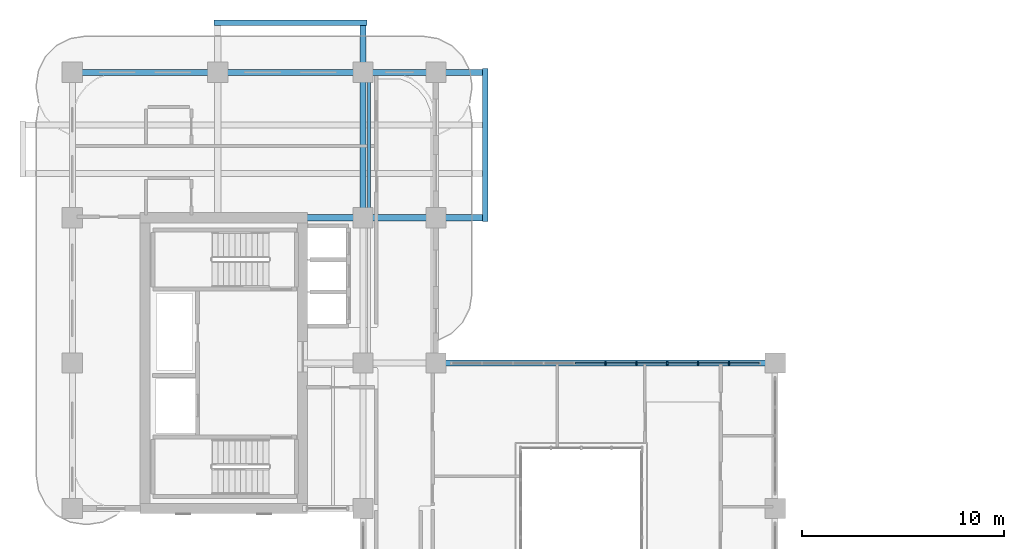
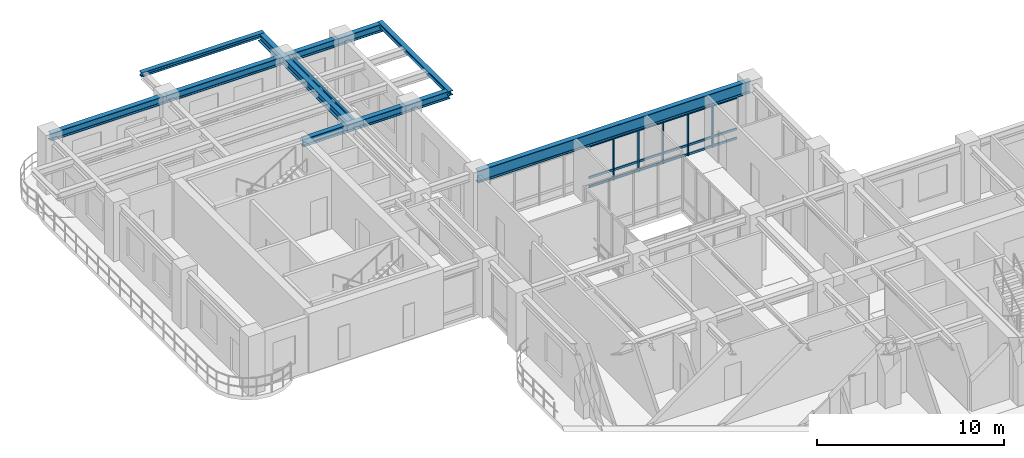
# One storey, part 6 of 20: 23 members, 8 beams, 1 element without a shape of its own.
"""IFC4 building model written with IfcOpenShell, lengths in metres."""

from ifc_helpers import new_model, si_unit, derived_unit, direction, frame, origin, origin_2d, place, context, subcontext, project, spatial, rectangle, i_section, extrude, source, transform, mapped, material, layer, layer_set, material_profile, profile_set, type_object, type_shapes, element, aggregate, save


model = new_model("IFC4")

# Units and contexts
model_context = context("Model", 3, precision=1e-05, world=origin(), true_north=direction((0.0, 1.0)))
body_context = subcontext(model_context, "Body", "Model", "MODEL_VIEW")
ifc_project = project(units=[si_unit("LENGTHUNIT", "METRE"), si_unit("AREAUNIT", "SQUARE_METRE"), si_unit("VOLUMEUNIT", "CUBIC_METRE"), si_unit("PLANEANGLEUNIT", "RADIAN"), si_unit("MASSUNIT", "GRAM", prefix="KILO"), si_unit("THERMODYNAMICTEMPERATUREUNIT", "KELVIN"), si_unit("POWERUNIT", "WATT"), derived_unit("THERMALTRANSMITTANCEUNIT", [(si_unit("POWERUNIT", "WATT"), 1), (si_unit("AREAUNIT", "SQUARE_METRE"), -1), (si_unit("THERMODYNAMICTEMPERATUREUNIT", "KELVIN"), -1)])], contexts=[model_context])

# Site, building, storey
site_placement = place(None, origin())
site = spatial("IfcSite", under=ifc_project, at=site_placement, CompositionType="ELEMENT")
building_placement = place(site_placement, origin())
building = spatial("IfcBuilding", under=site, at=building_placement, Name="Zahravan Archway Hotel and Residences", CompositionType="ELEMENT")
storey_placement = place(building_placement, frame((0.0, 0.0, 173.39990234375)))
storey = spatial("IfcBuildingStorey", under=building, at=storey_placement, Name="L43", CompositionType="ELEMENT", Elevation=173.39990234375)

# Beams
ifc_material_1 = material(Name="Structural Steel S355JR", Category="steel")
ifc_material_profile_1 = material_profile(ifc_material_1, i_section(OverallWidth=0.280029296875, OverallDepth=0.280029296875, WebThickness=0.010498046875, FlangeThickness=0.01806640625, FilletRadius=0.02392578125, at=origin_2d()), Name="HEB 280", Category="steel")
ifc_profile_set_1 = profile_set([ifc_material_profile_1], Name="Structural Steel S355JR")
beam_type_1 = type_object("IfcBeamType", Name="BM-SPN-HEB280", PredefinedType="SPANDREL", material=ifc_profile_set_1)
shared_shape_1 = source(origin(), body_context, "Body", "SweptSolid", [
    extrude(i_section(OverallWidth=0.280029296875, OverallDepth=0.280029296875, WebThickness=0.010498046875, FlangeThickness=0.01806640625, FilletRadius=0.02392578125, at=origin_2d()), origin(), (0.0, 0.0, 1.0), 7.56005859375),
])
type_shapes(beam_type_1, [shared_shape_1])
for number, where, z_axis, x_axis, name in (
    (1, (20.449951171875, 39.419921875, 3.460205078125), (0.0, 1.0, 0.0), (-1.0, 0.0, 0.0), "L44 EB Balcony Edge Spandrel"),
    (2, (7.02001953125, 49.25, 3.460205078125), (1.0, 0.0, 0.0), (0.0, 1.0, 0.0), "L44 NB Balcony Edge Spandrel"),
):
    element("IfcBeam", number, at=place(storey_placement, frame(where, z_axis=z_axis, x_axis=x_axis)), inside=storey, type_object=beam_type_1, Name=name, PredefinedType="SPANDREL", context=body_context, shape_type="MappedRepresentation", body=[
        mapped(shared_shape_1, transform((0.0, 0.0, 0.0), scale=1.0)),
    ])
ifc_material_2 = material(Name="Structural Steel S355J2", Category="steel")
ifc_material_profile_2 = material_profile(ifc_material_2, i_section(OverallWidth=0.300048828125, OverallDepth=0.800048828125, WebThickness=0.017578125, FlangeThickness=0.032958984375, FilletRadius=0.030029296875, at=origin_2d()), Name="HEB 800", Category="steel")
ifc_profile_set_2 = profile_set([ifc_material_profile_2], Name="Structural Steel S355J2")
beam_type_2 = type_object("IfcBeamType", Name="BM-PRI-HEB800", PredefinedType="BEAM", material=ifc_profile_set_2)
shared_shape_2 = source(origin(), body_context, "Body", "SweptSolid", [
    extrude(i_section(OverallWidth=0.300048828125, OverallDepth=0.800048828125, WebThickness=0.017578125, FlangeThickness=0.032958984375, FilletRadius=0.030029296875, at=origin_2d()), origin(), (0.0, 0.0, 1.0), 16.800048828125),
])
type_shapes(beam_type_2, [shared_shape_2])
beam_1_placement = place(storey_placement, frame((18.0, 32.39990234375, 3.2001953125), z_axis=(1.0, 0.0, 0.0), x_axis=(0.0, 1.0, 0.0)))
element("IfcBeam", 3, at=beam_1_placement, inside=storey, type_object=beam_type_2, Name="L43 Primary Girder EW-18", PredefinedType="BEAM", context=body_context, shape_type="MappedRepresentation", body=[
    mapped(shared_shape_2, transform((0.0, 0.0, 0.0), scale=1.0)),
])
ifc_material_profile_3 = material_profile(ifc_material_1, i_section(OverallWidth=0.300048828125, OverallDepth=0.5, WebThickness=0.014404296875, FlangeThickness=0.028076171875, FilletRadius=0.027099609375, at=origin_2d()), Name="HEB 500", Category="steel")
ifc_profile_set_3 = profile_set([ifc_material_profile_3], Name="Structural Steel S355JR")
beam_type_3 = type_object("IfcBeamType", Name="BM-PRI-HEB500", PredefinedType="BEAM", material=ifc_profile_set_3)
shared_shape_3 = source(origin(), body_context, "Body", "SweptSolid", [
    extrude(i_section(OverallWidth=0.300048828125, OverallDepth=0.5, WebThickness=0.014404296875, FlangeThickness=0.028076171875, FilletRadius=0.027099609375, at=origin_2d()), origin(), (0.0, 0.0, 1.0), 7.199951171875),
])
beam_2_placement = place(storey_placement, frame((0.0, 46.800048828125, 3.35009765625), z_axis=(1.0, 0.0, 0.0), x_axis=(0.0, 1.0, 0.0)))
element("IfcBeam", 4, at=beam_2_placement, inside=storey, type_object=beam_type_3, Name="L43 Primary Girder EW-20", PredefinedType="BEAM", context=body_context, shape_type="MappedRepresentation", body=[
    mapped(shared_shape_3, transform((0.0, 0.0, 0.0), scale=1.0)),
])
shared_shape_4 = source(origin(), body_context, "Body", "SweptSolid", [
    extrude(i_section(OverallWidth=0.300048828125, OverallDepth=0.5, WebThickness=0.014404296875, FlangeThickness=0.028076171875, FilletRadius=0.027099609375, at=origin_2d()), origin(), (0.0, 0.0, 1.0), 9.050048828125),
])
beam_3_placement = place(storey_placement, frame((11.39990234375, 39.60009765625, 3.35009765625), z_axis=(1.0, 0.0, 0.0), x_axis=(0.0, 1.0, 0.0)))
element("IfcBeam", 5, at=beam_3_placement, inside=storey, type_object=beam_type_3, Name="L43 Primary Girder EW-19", PredefinedType="BEAM", context=body_context, shape_type="MappedRepresentation", body=[
    mapped(shared_shape_4, transform((0.0, 0.0, 0.0), scale=1.0)),
])
shared_shape_5 = source(origin(), body_context, "Body", "SweptSolid", [
    extrude(i_section(OverallWidth=0.300048828125, OverallDepth=0.5, WebThickness=0.014404296875, FlangeThickness=0.028076171875, FilletRadius=0.027099609375, at=origin_2d()), origin(), (0.0, 0.0, 1.0), 13.25),
])
beam_4_placement = place(storey_placement, frame((7.199951171875, 46.800048828125, 3.35009765625), z_axis=(1.0, 0.0, 0.0), x_axis=(0.0, 1.0, 0.0)))
element("IfcBeam", 6, at=beam_4_placement, inside=storey, type_object=beam_type_3, Name="L43 Primary Girder EW-21", PredefinedType="BEAM", context=body_context, shape_type="MappedRepresentation", body=[
    mapped(shared_shape_5, transform((0.0, 0.0, 0.0), scale=1.0)),
])
shared_shape_6 = source(origin(), body_context, "Body", "SweptSolid", [
    extrude(i_section(OverallWidth=0.300048828125, OverallDepth=0.5, WebThickness=0.014404296875, FlangeThickness=0.028076171875, FilletRadius=0.027099609375, at=origin_2d()), origin(), (0.0, 0.0, 1.0), 9.64990234375),
])
beam_5_placement = place(storey_placement, frame((14.39990234375, 39.60009765625, 3.35009765625), z_axis=(0.0, 1.0, 0.0), x_axis=(-1.0, 0.0, 0.0)))
element("IfcBeam", 7, at=beam_5_placement, inside=storey, type_object=beam_type_3, Name="L43 Primary Girder NS-34", PredefinedType="BEAM", context=body_context, shape_type="MappedRepresentation", body=[
    mapped(shared_shape_6, transform((0.0, 0.0, 0.0), scale=1.0)),
])
ifc_material_profile_4 = material_profile(ifc_material_1, i_section(OverallWidth=0.14990234375, OverallDepth=0.300048828125, WebThickness=0.007080078125, FlangeThickness=0.0107421875, FilletRadius=0.014892578125, at=origin_2d()), Name="IPE 300", Category="steel")
ifc_profile_set_4 = profile_set([ifc_material_profile_4], Name="Structural Steel S355JR")
beam_type_4 = type_object("IfcBeamType", Name="BM-JST-IPE300", PredefinedType="JOIST", material=ifc_profile_set_4)
shared_shape_7 = source(origin(), body_context, "Body", "SweptSolid", [
    extrude(i_section(OverallWidth=0.14990234375, OverallDepth=0.300048828125, WebThickness=0.007080078125, FlangeThickness=0.0107421875, FilletRadius=0.014892578125, at=origin_2d()), origin(), (0.0, 0.0, 1.0), 6.904052734375),
])
type_shapes(beam_type_4, [shared_shape_7])
beam_6_placement = place(storey_placement, frame((14.699951171875, 39.748046875, 3.4501953125), z_axis=(0.0, 1.0, 0.0), x_axis=(-1.0, 0.0, 0.0)))
element("IfcBeam", 8, at=beam_6_placement, inside=storey, type_object=beam_type_4, Name="L43 Composite Floor Joist 12", PredefinedType="JOIST", context=body_context, shape_type="MappedRepresentation", body=[
    mapped(shared_shape_7, transform((0.0, 0.0, 0.0), scale=1.0)),
])

# Curtain wall, members
ifc_material_3 = material(Name="Bronze-Anodized Unitised Aluminium & Low-E Glass", Category="aluminium")
ifc_layer = layer(ifc_material_3, 0.179931640625, Name="Bronze-Anodized Unitised Aluminium & Low-E Glass", Category="aluminium")
ifc_layer_set = layer_set([ifc_layer], Name="Bronze-Anodized Unitised Aluminium & Low-E Glass")
curtain_wall_type = type_object("IfcCurtainWallType", Name="CW-ATR-GLAZ", PredefinedType="NOTDEFINED", material=ifc_layer_set)
curtain_wall_placement = place(storey_placement, origin())
curtain_wall = element("IfcCurtainWall", 9, at=curtain_wall_placement, inside=storey, type_object=curtain_wall_type, Name="L43 Curtain Wall CW-L43-HNG-N-1", PredefinedType="NOTDEFINED")
ifc_material_4 = material(Name="Bronze-Anodized Extruded Aluminium", Category="aluminium")
ifc_material_profile_5 = material_profile(ifc_material_4, rectangle(XDim=0.080078125, YDim=0.139892578125, at=origin_2d()), Name="TRN 80x140", Category="aluminium")
ifc_profile_set_5 = profile_set([ifc_material_profile_5], Name="Bronze-Anodized Extruded Aluminium")
member_type_1 = type_object("IfcMemberType", Name="CWM-TRN-140", PredefinedType="USERDEFINED", material=ifc_profile_set_5)
shared_shape_8 = source(origin(), body_context, "Body", "SweptSolid", [
    extrude(rectangle(XDim=0.080078125, YDim=0.139892578125, at=origin_2d()), origin(), (0.0, 0.0, 1.0), 1.447998046875),
])
member_1_placement = place(storey_placement, frame((24.912109375, 32.39990234375, 0.070068359375), z_axis=(1.0, 0.0, 0.0), x_axis=(0.0, 1.0, 0.0)))
member_1 = element("IfcMember", 10, at=member_1_placement, type_object=member_type_1, Name="CW-L43-HNG-N-1 Transom 4-1", ObjectType="TRANSOM", PredefinedType="USERDEFINED", context=body_context, shape_type="MappedRepresentation", body=[
    mapped(shared_shape_8, transform((0.0, 0.0, 0.0), scale=1.0)),
])
member_2_placement = place(storey_placement, frame((24.912109375, 32.39990234375, 0.66845703125), z_axis=(1.0, 0.0, 0.0), x_axis=(0.0, 1.0, 0.0)))
member_2 = element("IfcMember", 11, at=member_2_placement, type_object=member_type_1, Name="CW-L43-HNG-N-1 Transom 4-2", ObjectType="TRANSOM", PredefinedType="USERDEFINED", context=body_context, shape_type="MappedRepresentation", body=[
    mapped(shared_shape_8, transform((0.0, 0.0, 0.0), scale=1.0)),
])
member_3_placement = place(storey_placement, frame((24.912109375, 32.39990234375, 2.715087890625), z_axis=(1.0, 0.0, 0.0), x_axis=(0.0, 1.0, 0.0)))
member_3 = element("IfcMember", 12, at=member_3_placement, type_object=member_type_1, Name="CW-L43-HNG-N-1 Transom 4-3", ObjectType="TRANSOM", PredefinedType="USERDEFINED", context=body_context, shape_type="MappedRepresentation", body=[
    mapped(shared_shape_8, transform((0.0, 0.0, 0.0), scale=1.0)),
])
member_4_placement = place(storey_placement, frame((26.43994140625, 32.39990234375, 0.070068359375), z_axis=(1.0, 0.0, 0.0), x_axis=(0.0, 1.0, 0.0)))
member_4 = element("IfcMember", 13, at=member_4_placement, type_object=member_type_1, Name="CW-L43-HNG-N-1 Transom 5-1", ObjectType="TRANSOM", PredefinedType="USERDEFINED", context=body_context, shape_type="MappedRepresentation", body=[
    mapped(shared_shape_8, transform((0.0, 0.0, 0.0), scale=1.0)),
])
member_5_placement = place(storey_placement, frame((26.43994140625, 32.39990234375, 0.66845703125), z_axis=(1.0, 0.0, 0.0), x_axis=(0.0, 1.0, 0.0)))
member_5 = element("IfcMember", 14, at=member_5_placement, type_object=member_type_1, Name="CW-L43-HNG-N-1 Transom 5-2", ObjectType="TRANSOM", PredefinedType="USERDEFINED", context=body_context, shape_type="MappedRepresentation", body=[
    mapped(shared_shape_8, transform((0.0, 0.0, 0.0), scale=1.0)),
])
member_6_placement = place(storey_placement, frame((26.43994140625, 32.39990234375, 2.715087890625), z_axis=(1.0, 0.0, 0.0), x_axis=(0.0, 1.0, 0.0)))
member_6 = element("IfcMember", 15, at=member_6_placement, type_object=member_type_1, Name="CW-L43-HNG-N-1 Transom 5-3", ObjectType="TRANSOM", PredefinedType="USERDEFINED", context=body_context, shape_type="MappedRepresentation", body=[
    mapped(shared_shape_8, transform((0.0, 0.0, 0.0), scale=1.0)),
])
member_7_placement = place(storey_placement, frame((27.968017578125, 32.39990234375, 0.070068359375), z_axis=(1.0, 0.0, 0.0), x_axis=(0.0, 1.0, 0.0)))
member_7 = element("IfcMember", 16, at=member_7_placement, type_object=member_type_1, Name="CW-L43-HNG-N-1 Transom 6-1", ObjectType="TRANSOM", PredefinedType="USERDEFINED", context=body_context, shape_type="MappedRepresentation", body=[
    mapped(shared_shape_8, transform((0.0, 0.0, 0.0), scale=1.0)),
])
member_8_placement = place(storey_placement, frame((27.968017578125, 32.39990234375, 0.66845703125), z_axis=(1.0, 0.0, 0.0), x_axis=(0.0, 1.0, 0.0)))
member_8 = element("IfcMember", 17, at=member_8_placement, type_object=member_type_1, Name="CW-L43-HNG-N-1 Transom 6-2", ObjectType="TRANSOM", PredefinedType="USERDEFINED", context=body_context, shape_type="MappedRepresentation", body=[
    mapped(shared_shape_8, transform((0.0, 0.0, 0.0), scale=1.0)),
])
member_9_placement = place(storey_placement, frame((27.968017578125, 32.39990234375, 2.715087890625), z_axis=(1.0, 0.0, 0.0), x_axis=(0.0, 1.0, 0.0)))
member_9 = element("IfcMember", 18, at=member_9_placement, type_object=member_type_1, Name="CW-L43-HNG-N-1 Transom 6-3", ObjectType="TRANSOM", PredefinedType="USERDEFINED", context=body_context, shape_type="MappedRepresentation", body=[
    mapped(shared_shape_8, transform((0.0, 0.0, 0.0), scale=1.0)),
])
member_10_placement = place(storey_placement, frame((29.49609375, 32.39990234375, 0.070068359375), z_axis=(1.0, 0.0, 0.0), x_axis=(0.0, 1.0, 0.0)))
member_10 = element("IfcMember", 19, at=member_10_placement, type_object=member_type_1, Name="CW-L43-HNG-N-1 Transom 7-1", ObjectType="TRANSOM", PredefinedType="USERDEFINED", context=body_context, shape_type="MappedRepresentation", body=[
    mapped(shared_shape_8, transform((0.0, 0.0, 0.0), scale=1.0)),
])
member_11_placement = place(storey_placement, frame((29.49609375, 32.39990234375, 0.66845703125), z_axis=(1.0, 0.0, 0.0), x_axis=(0.0, 1.0, 0.0)))
member_11 = element("IfcMember", 20, at=member_11_placement, type_object=member_type_1, Name="CW-L43-HNG-N-1 Transom 7-2", ObjectType="TRANSOM", PredefinedType="USERDEFINED", context=body_context, shape_type="MappedRepresentation", body=[
    mapped(shared_shape_8, transform((0.0, 0.0, 0.0), scale=1.0)),
])
member_12_placement = place(storey_placement, frame((29.49609375, 32.39990234375, 2.715087890625), z_axis=(1.0, 0.0, 0.0), x_axis=(0.0, 1.0, 0.0)))
member_12 = element("IfcMember", 21, at=member_12_placement, type_object=member_type_1, Name="CW-L43-HNG-N-1 Transom 7-3", ObjectType="TRANSOM", PredefinedType="USERDEFINED", context=body_context, shape_type="MappedRepresentation", body=[
    mapped(shared_shape_8, transform((0.0, 0.0, 0.0), scale=1.0)),
])
member_13_placement = place(storey_placement, frame((31.02392578125, 32.39990234375, 0.070068359375), z_axis=(1.0, 0.0, 0.0), x_axis=(0.0, 1.0, 0.0)))
member_13 = element("IfcMember", 22, at=member_13_placement, type_object=member_type_1, Name="CW-L43-HNG-N-1 Transom 8-1", ObjectType="TRANSOM", PredefinedType="USERDEFINED", context=body_context, shape_type="MappedRepresentation", body=[
    mapped(shared_shape_8, transform((0.0, 0.0, 0.0), scale=1.0)),
])
member_14_placement = place(storey_placement, frame((31.02392578125, 32.39990234375, 0.66845703125), z_axis=(1.0, 0.0, 0.0), x_axis=(0.0, 1.0, 0.0)))
member_14 = element("IfcMember", 23, at=member_14_placement, type_object=member_type_1, Name="CW-L43-HNG-N-1 Transom 8-2", ObjectType="TRANSOM", PredefinedType="USERDEFINED", context=body_context, shape_type="MappedRepresentation", body=[
    mapped(shared_shape_8, transform((0.0, 0.0, 0.0), scale=1.0)),
])
member_15_placement = place(storey_placement, frame((31.02392578125, 32.39990234375, 2.715087890625), z_axis=(1.0, 0.0, 0.0), x_axis=(0.0, 1.0, 0.0)))
member_15 = element("IfcMember", 24, at=member_15_placement, type_object=member_type_1, Name="CW-L43-HNG-N-1 Transom 8-3", ObjectType="TRANSOM", PredefinedType="USERDEFINED", context=body_context, shape_type="MappedRepresentation", body=[
    mapped(shared_shape_8, transform((0.0, 0.0, 0.0), scale=1.0)),
])
member_16_placement = place(storey_placement, frame((32.552001953125, 32.39990234375, 0.070068359375), z_axis=(1.0, 0.0, 0.0), x_axis=(0.0, 1.0, 0.0)))
member_16 = element("IfcMember", 25, at=member_16_placement, type_object=member_type_1, Name="CW-L43-HNG-N-1 Transom 9-1", ObjectType="TRANSOM", PredefinedType="USERDEFINED", context=body_context, shape_type="MappedRepresentation", body=[
    mapped(shared_shape_8, transform((0.0, 0.0, 0.0), scale=1.0)),
])
member_17_placement = place(storey_placement, frame((32.552001953125, 32.39990234375, 0.66845703125), z_axis=(1.0, 0.0, 0.0), x_axis=(0.0, 1.0, 0.0)))
member_17 = element("IfcMember", 26, at=member_17_placement, type_object=member_type_1, Name="CW-L43-HNG-N-1 Transom 9-2", ObjectType="TRANSOM", PredefinedType="USERDEFINED", context=body_context, shape_type="MappedRepresentation", body=[
    mapped(shared_shape_8, transform((0.0, 0.0, 0.0), scale=1.0)),
])
member_18_placement = place(storey_placement, frame((32.552001953125, 32.39990234375, 2.715087890625), z_axis=(1.0, 0.0, 0.0), x_axis=(0.0, 1.0, 0.0)))
member_18 = element("IfcMember", 27, at=member_18_placement, type_object=member_type_1, Name="CW-L43-HNG-N-1 Transom 9-3", ObjectType="TRANSOM", PredefinedType="USERDEFINED", context=body_context, shape_type="MappedRepresentation", body=[
    mapped(shared_shape_8, transform((0.0, 0.0, 0.0), scale=1.0)),
])
ifc_material_profile_6 = material_profile(ifc_material_4, rectangle(XDim=0.080078125, YDim=0.159912109375, at=origin_2d()), Name="MUL 80x160", Category="aluminium")
ifc_profile_set_6 = profile_set([ifc_material_profile_6], Name="Bronze-Anodized Extruded Aluminium")
member_type_2 = type_object("IfcMemberType", Name="CWM-MUL-160", PredefinedType="MULLION", material=ifc_profile_set_6)
shared_shape_9 = source(origin(), body_context, "Body", "SweptSolid", [
    extrude(rectangle(XDim=0.080078125, YDim=0.159912109375, at=origin_2d()), origin(), (0.0, 0.0, 1.0), 2.78515625),
])
member_19_placement = place(storey_placement, frame((26.39990234375, 32.39990234375, 0.0), z_axis=(0.0, 0.0, 1.0), x_axis=(1.0, 0.0, 0.0)))
member_19 = element("IfcMember", 28, at=member_19_placement, type_object=member_type_2, Name="CW-L43-HNG-N-1 Mullion 5", PredefinedType="MULLION", context=body_context, shape_type="MappedRepresentation", body=[
    mapped(shared_shape_9, transform((0.0, 0.0, 0.0), scale=1.0)),
])
member_20_placement = place(storey_placement, frame((27.927978515625, 32.39990234375, 0.0), z_axis=(0.0, 0.0, 1.0), x_axis=(1.0, 0.0, 0.0)))
member_20 = element("IfcMember", 29, at=member_20_placement, type_object=member_type_2, Name="CW-L43-HNG-N-1 Mullion 6", PredefinedType="MULLION", context=body_context, shape_type="MappedRepresentation", body=[
    mapped(shared_shape_9, transform((0.0, 0.0, 0.0), scale=1.0)),
])
member_21_placement = place(storey_placement, frame((29.4560546875, 32.39990234375, 0.0), z_axis=(0.0, 0.0, 1.0), x_axis=(1.0, 0.0, 0.0)))
member_21 = element("IfcMember", 30, at=member_21_placement, type_object=member_type_2, Name="CW-L43-HNG-N-1 Mullion 7", PredefinedType="MULLION", context=body_context, shape_type="MappedRepresentation", body=[
    mapped(shared_shape_9, transform((0.0, 0.0, 0.0), scale=1.0)),
])
member_22_placement = place(storey_placement, frame((30.98388671875, 32.39990234375, 0.0), z_axis=(0.0, 0.0, 1.0), x_axis=(1.0, 0.0, 0.0)))
member_22 = element("IfcMember", 31, at=member_22_placement, type_object=member_type_2, Name="CW-L43-HNG-N-1 Mullion 8", PredefinedType="MULLION", context=body_context, shape_type="MappedRepresentation", body=[
    mapped(shared_shape_9, transform((0.0, 0.0, 0.0), scale=1.0)),
])
member_23_placement = place(storey_placement, frame((32.511962890625, 32.39990234375, 0.0), z_axis=(0.0, 0.0, 1.0), x_axis=(1.0, 0.0, 0.0)))
member_23 = element("IfcMember", 32, at=member_23_placement, type_object=member_type_2, Name="CW-L43-HNG-N-1 Mullion 9", PredefinedType="MULLION", context=body_context, shape_type="MappedRepresentation", body=[
    mapped(shared_shape_9, transform((0.0, 0.0, 0.0), scale=1.0)),
])
aggregate(curtain_wall, [member_19, member_20, member_21, member_22, member_23, member_1, member_2, member_3, member_4, member_5, member_6, member_7, member_8, member_9, member_10, member_11, member_12, member_13, member_14, member_15, member_16, member_17, member_18])

save(model, "model.ifc")
